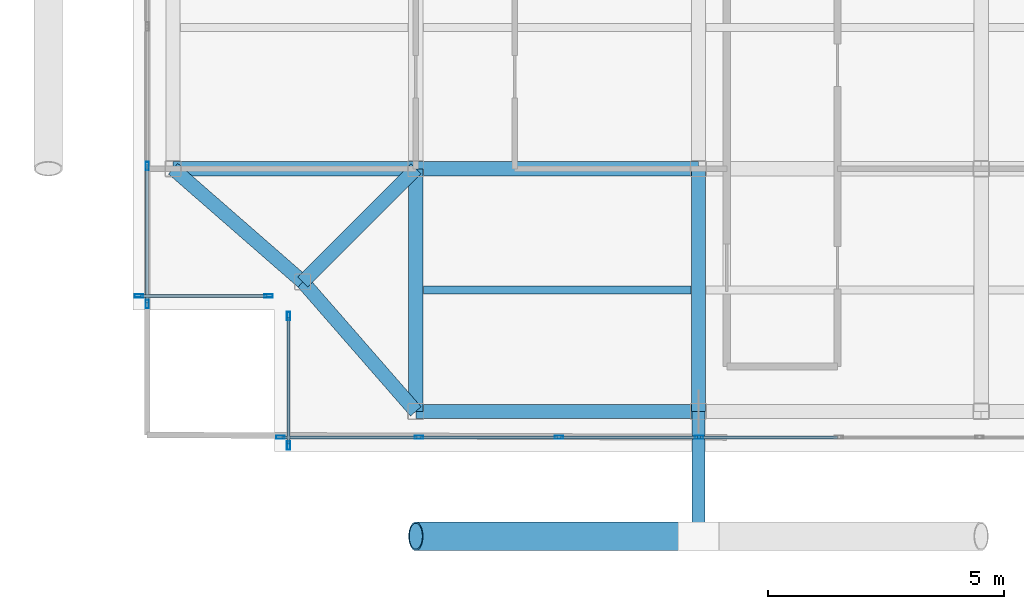
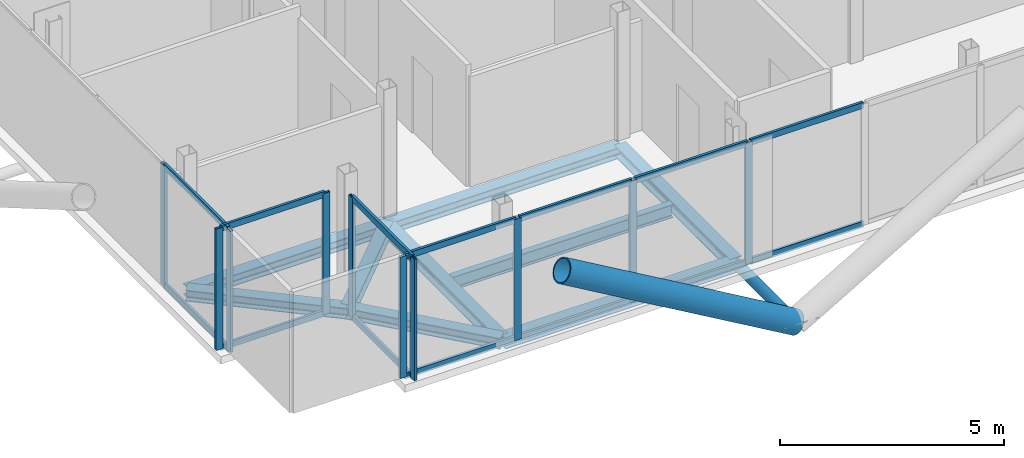
# One storey, part 2 of 18: 26 members, 9 beams, 4 elements without a shape of their own.
"""IFC4 building model written with IfcOpenShell, lengths in metres."""

from ifc_helpers import new_model, si_unit, direction, frame, origin, origin_2d, place, context, subcontext, project, spatial, hollow_rectangle, hollow_circle, i_section, extrude, material, layer, layer_set, material_profile, profile_set, type_object, element, aggregate, save


model = new_model("IFC4")

# Units and contexts
model_context = context("Model", 3, precision=1e-05, world=origin(), true_north=direction((0.0, 1.0)))
body_context = subcontext(model_context, "Body", "Model", "MODEL_VIEW")
ifc_project = project(units=[si_unit("LENGTHUNIT", "METRE"), si_unit("AREAUNIT", "SQUARE_METRE"), si_unit("VOLUMEUNIT", "CUBIC_METRE"), si_unit("PLANEANGLEUNIT", "RADIAN"), si_unit("MASSUNIT", "GRAM", prefix="KILO"), si_unit("THERMODYNAMICTEMPERATUREUNIT", "KELVIN"), si_unit("POWERUNIT", "WATT")], contexts=[model_context])

# Site, building, storey
site_placement = place(None, origin())
site = spatial("IfcSite", under=ifc_project, at=site_placement, CompositionType="ELEMENT")
building_placement = place(site_placement, origin())
building = spatial("IfcBuilding", under=site, at=building_placement, Name="Svarakhadi Broadcast Tower", CompositionType="ELEMENT")
storey_placement = place(building_placement, frame((0.0, 0.0, 260.699951171875)))
storey = spatial("IfcBuildingStorey", under=building, at=storey_placement, Name="L65", CompositionType="ELEMENT", Elevation=260.699951171875)

# Beam
ifc_material_1 = material(Name="Steel S355J2 (IS 2062 E350C)", Category="steel")
ifc_material_profile_1 = material_profile(ifc_material_1, i_section(OverallWidth=0.169921875, OverallDepth=0.360107421875, WebThickness=0.008056640625, FlangeThickness=0.0126953125, FilletRadius=0.01806640625, at=origin_2d()), Name="NPB 360x170x57")
ifc_profile_set_1 = profile_set([ifc_material_profile_1], Name="Steel S355J2 (IS 2062 E350C)")
beam_type_1 = type_object("IfcBeamType", Name="Beam_NPB360", PredefinedType="BEAM", material=ifc_profile_set_1)
beam_1_placement = place(storey_placement, frame((6.159912109375, 3.425048828125, -0.3798828125), z_axis=(1.0, 0.0, 0.0), x_axis=(0.0, 1.0, 0.0)))
element("IfcBeam", 1, at=beam_1_placement, inside=storey, type_object=beam_type_1, Name="L65 Secondary Composite Beam SB004", PredefinedType="BEAM", context=body_context, shape_type="SweptSolid", body=[
    extrude(i_section(OverallWidth=0.169921875, OverallDepth=0.360107421875, WebThickness=0.008056640625, FlangeThickness=0.0126953125, FilletRadius=0.01806640625, at=origin_2d()), origin(), (0.0, 0.0, 1.0), 5.68017578125),
])

# Curtain wall, members
ifc_material_2 = material(Name="Anodised Bronze Aluminium AA 6063-T6", Category="aluminium")
ifc_layer = layer(ifc_material_2, 0.179931640625)
ifc_layer_set = layer_set([ifc_layer], Name="Anodised Bronze Aluminium AA 6063-T6")
curtain_wall_type = type_object("IfcCurtainWallType", Name="CW_Sys_05", PredefinedType="NOTDEFINED", material=ifc_layer_set)
curtain_wall_1_placement = place(storey_placement, origin())
curtain_wall_1 = element("IfcCurtainWall", 2, at=curtain_wall_1_placement, inside=storey, type_object=curtain_wall_type, Name="L65 Unitised Facade Curtain Wall 01", PredefinedType="NOTDEFINED")
ifc_material_profile_2 = material_profile(ifc_material_2, hollow_rectangle(XDim=0.070068359375, YDim=0.179931640625, WallThickness=0.005615234375, at=origin_2d()), Name="ALU MULLION 180x70x6")
ifc_profile_set_2 = profile_set([ifc_material_profile_2], Name="Anodised Bronze Aluminium AA 6063-T6")
member_type_1 = type_object("IfcMemberType", Name="CW_Sys_05_Mul", PredefinedType="MULLION", material=ifc_profile_set_2)
member_1_placement = place(storey_placement, frame((2.875, 3.300048828125, 0.0), z_axis=(0.0, 0.0, 1.0), x_axis=(0.0, -1.0, 0.0)))
member_1 = element("IfcMember", 3, at=member_1_placement, type_object=member_type_1, Name="CW-05 mullion 1", PredefinedType="MULLION", context=body_context, shape_type="SweptSolid", body=[
    extrude(hollow_rectangle(XDim=0.070068359375, YDim=0.179931640625, WallThickness=0.005615234375, at=origin_2d()), origin(), (0.0, 0.0, 1.0), 3.300048828125),
])
member_2_placement = place(storey_placement, frame((0.125, 3.300048828125, 0.0), z_axis=(0.0, 0.0, 1.0), x_axis=(0.0, -1.0, 0.0)))
member_2 = element("IfcMember", 4, at=member_2_placement, type_object=member_type_1, Name="CW-05 mullion 2", PredefinedType="MULLION", context=body_context, shape_type="SweptSolid", body=[
    extrude(hollow_rectangle(XDim=0.070068359375, YDim=0.179931640625, WallThickness=0.005615234375, at=origin_2d()), origin(), (0.0, 0.0, 1.0), 3.300048828125),
])

curtain_wall_2_placement = place(storey_placement, origin())
curtain_wall_2 = element("IfcCurtainWall", 5, at=curtain_wall_2_placement, inside=storey, type_object=curtain_wall_type, Name="L65 West Curtain Wall 02", PredefinedType="NOTDEFINED")
member_3_placement = place(storey_placement, frame((0.300048828125, 3.125, 0.0), z_axis=(0.0, 0.0, 1.0), x_axis=(-1.0, 0.0, 0.0)))
member_3 = element("IfcMember", 6, at=member_3_placement, type_object=member_type_1, Name="CW-05 mullion 1", PredefinedType="MULLION", context=body_context, shape_type="SweptSolid", body=[
    extrude(hollow_rectangle(XDim=0.070068359375, YDim=0.179931640625, WallThickness=0.005615234375, at=origin_2d()), origin(), (0.0, 0.0, 1.0), 3.300048828125),
])
member_4_placement = place(storey_placement, frame((0.300048828125, 6.053955078125, 0.0), z_axis=(0.0, 0.0, 1.0), x_axis=(-1.0, 0.0, 0.0)))
member_4 = element("IfcMember", 7, at=member_4_placement, type_object=member_type_1, Name="CW-05 mullion 2", PredefinedType="MULLION", context=body_context, shape_type="SweptSolid", body=[
    extrude(hollow_rectangle(XDim=0.070068359375, YDim=0.179931640625, WallThickness=0.005615234375, at=origin_2d()), origin(), (0.0, 0.0, 1.0), 3.300048828125),
])

curtain_wall_3_placement = place(storey_placement, origin())
curtain_wall_3 = element("IfcCurtainWall", 8, at=curtain_wall_3_placement, inside=storey, type_object=curtain_wall_type, Name="L65 South Curtain Wall 15", PredefinedType="NOTDEFINED")
member_5_placement = place(storey_placement, frame((12.012939453125, 0.300048828125, 0.0), z_axis=(0.0, 0.0, 1.0), x_axis=(0.0, -1.0, 0.0)))
member_5 = element("IfcMember", 9, at=member_5_placement, type_object=member_type_1, Name="CW-05 mullion 5", PredefinedType="MULLION", context=body_context, shape_type="SweptSolid", body=[
    extrude(hollow_rectangle(XDim=0.070068359375, YDim=0.179931640625, WallThickness=0.005615234375, at=origin_2d()), origin(), (0.0, 0.0, 1.0), 3.300048828125),
])
member_6_placement = place(storey_placement, frame((9.03857421875, 0.300048828125, 0.0), z_axis=(0.0, 0.0, 1.0), x_axis=(0.0, -1.0, 0.0)))
member_6 = element("IfcMember", 10, at=member_6_placement, type_object=member_type_1, Name="CW-05 mullion 6", PredefinedType="MULLION", context=body_context, shape_type="SweptSolid", body=[
    extrude(hollow_rectangle(XDim=0.070068359375, YDim=0.179931640625, WallThickness=0.005615234375, at=origin_2d()), origin(), (0.0, 0.0, 1.0), 3.300048828125),
])
member_7_placement = place(storey_placement, frame((6.064208984375, 0.300048828125, 0.0), z_axis=(0.0, 0.0, 1.0), x_axis=(0.0, -1.0, 0.0)))
member_7 = element("IfcMember", 11, at=member_7_placement, type_object=member_type_1, Name="CW-05 mullion 7", PredefinedType="MULLION", context=body_context, shape_type="SweptSolid", body=[
    extrude(hollow_rectangle(XDim=0.070068359375, YDim=0.179931640625, WallThickness=0.005615234375, at=origin_2d()), origin(), (0.0, 0.0, 1.0), 3.300048828125),
])
member_8_placement = place(storey_placement, frame((3.125, 0.300048828125, 0.0), z_axis=(0.0, 0.0, 1.0), x_axis=(0.0, -1.0, 0.0)))
member_8 = element("IfcMember", 12, at=member_8_placement, type_object=member_type_1, Name="CW-05 mullion 8", PredefinedType="MULLION", context=body_context, shape_type="SweptSolid", body=[
    extrude(hollow_rectangle(XDim=0.070068359375, YDim=0.179931640625, WallThickness=0.005615234375, at=origin_2d()), origin(), (0.0, 0.0, 1.0), 3.300048828125),
])

curtain_wall_4_placement = place(storey_placement, origin())
curtain_wall_4 = element("IfcCurtainWall", 13, at=curtain_wall_4_placement, inside=storey, type_object=curtain_wall_type, Name="L65 Unitised Facade Curtain Wall 16", PredefinedType="NOTDEFINED")
member_9_placement = place(storey_placement, frame((3.300048828125, 0.125, 0.0), z_axis=(0.0, 0.0, 1.0), x_axis=(-1.0, 0.0, 0.0)))
member_9 = element("IfcMember", 14, at=member_9_placement, type_object=member_type_1, Name="CW-05 mullion 1", PredefinedType="MULLION", context=body_context, shape_type="SweptSolid", body=[
    extrude(hollow_rectangle(XDim=0.070068359375, YDim=0.179931640625, WallThickness=0.005615234375, at=origin_2d()), origin(), (0.0, 0.0, 1.0), 3.300048828125),
])
member_10_placement = place(storey_placement, frame((3.300048828125, 2.875, 0.0), z_axis=(0.0, 0.0, 1.0), x_axis=(-1.0, 0.0, 0.0)))
member_10 = element("IfcMember", 15, at=member_10_placement, type_object=member_type_1, Name="CW-05 mullion 2", PredefinedType="MULLION", context=body_context, shape_type="SweptSolid", body=[
    extrude(hollow_rectangle(XDim=0.070068359375, YDim=0.179931640625, WallThickness=0.005615234375, at=origin_2d()), origin(), (0.0, 0.0, 1.0), 3.300048828125),
])

# Member
ifc_material_profile_3 = material_profile(ifc_material_2, hollow_rectangle(XDim=0.06494140625, YDim=0.1650390625, WallThickness=0.0048828125, at=origin_2d()), Name="ALU TRANSOM 165x65x5")
ifc_profile_set_3 = profile_set([ifc_material_profile_3], Name="Anodised Bronze Aluminium AA 6063-T6")
member_type_2 = type_object("IfcMemberType", Name="CW_Sys_05_Trn", PredefinedType="USERDEFINED", material=ifc_profile_set_3)
member_11_placement = place(storey_placement, frame((2.840087890625, 3.300048828125, 0.032470703125), z_axis=(-1.0, 0.0, 0.0), x_axis=(0.0, -1.0, 0.0)))
member_11 = element("IfcMember", 16, at=member_11_placement, type_object=member_type_2, Name="CW-05 transom 1.1", ObjectType="TRANSOM", PredefinedType="USERDEFINED", context=body_context, shape_type="SweptSolid", body=[
    extrude(hollow_rectangle(XDim=0.06494140625, YDim=0.1650390625, WallThickness=0.0048828125, at=origin_2d()), origin(), (0.0, 0.0, 1.0), 2.68017578125),
])

member_12_placement = place(storey_placement, frame((2.840087890625, 3.300048828125, 3.267578125), z_axis=(-1.0, 0.0, 0.0), x_axis=(0.0, -1.0, 0.0)))
member_12 = element("IfcMember", 17, at=member_12_placement, type_object=member_type_2, Name="CW-05 transom 1.2", ObjectType="TRANSOM", PredefinedType="USERDEFINED", context=body_context, shape_type="SweptSolid", body=[
    extrude(hollow_rectangle(XDim=0.06494140625, YDim=0.1650390625, WallThickness=0.0048828125, at=origin_2d()), origin(), (0.0, 0.0, 1.0), 2.68017578125),
])

aggregate(curtain_wall_1, [member_1, member_2, member_11, member_12])

member_13_placement = place(storey_placement, frame((0.300048828125, 3.159912109375, 0.032470703125), z_axis=(0.0, 1.0, 0.0), x_axis=(-1.0, 0.0, 0.0)))
member_13 = element("IfcMember", 18, at=member_13_placement, type_object=member_type_2, Name="CW-05 transom 1.1", ObjectType="TRANSOM", PredefinedType="USERDEFINED", context=body_context, shape_type="SweptSolid", body=[
    extrude(hollow_rectangle(XDim=0.06494140625, YDim=0.1650390625, WallThickness=0.0048828125, at=origin_2d()), origin(), (0.0, 0.0, 1.0), 2.859130859375),
])

member_14_placement = place(storey_placement, frame((0.300048828125, 3.159912109375, 3.267578125), z_axis=(0.0, 1.0, 0.0), x_axis=(-1.0, 0.0, 0.0)))
member_14 = element("IfcMember", 19, at=member_14_placement, type_object=member_type_2, Name="CW-05 transom 1.2", ObjectType="TRANSOM", PredefinedType="USERDEFINED", context=body_context, shape_type="SweptSolid", body=[
    extrude(hollow_rectangle(XDim=0.06494140625, YDim=0.1650390625, WallThickness=0.0048828125, at=origin_2d()), origin(), (0.0, 0.0, 1.0), 2.859130859375),
])

aggregate(curtain_wall_2, [member_3, member_4, member_13, member_14])

member_15_placement = place(storey_placement, frame((14.9521484375, 0.300048828125, 0.032470703125), z_axis=(-1.0, 0.0, 0.0), x_axis=(0.0, -1.0, 0.0)))
member_15 = element("IfcMember", 20, at=member_15_placement, type_object=member_type_2, Name="CW-05 transom 4.1", ObjectType="TRANSOM", PredefinedType="USERDEFINED", context=body_context, shape_type="SweptSolid", body=[
    extrude(hollow_rectangle(XDim=0.06494140625, YDim=0.1650390625, WallThickness=0.0048828125, at=origin_2d()), origin(), (0.0, 0.0, 1.0), 2.904296875),
])

member_16_placement = place(storey_placement, frame((14.9521484375, 0.300048828125, 3.267578125), z_axis=(-1.0, 0.0, 0.0), x_axis=(0.0, -1.0, 0.0)))
member_16 = element("IfcMember", 21, at=member_16_placement, type_object=member_type_2, Name="CW-05 transom 4.2", ObjectType="TRANSOM", PredefinedType="USERDEFINED", context=body_context, shape_type="SweptSolid", body=[
    extrude(hollow_rectangle(XDim=0.06494140625, YDim=0.1650390625, WallThickness=0.0048828125, at=origin_2d()), origin(), (0.0, 0.0, 1.0), 2.904296875),
])

member_17_placement = place(storey_placement, frame((11.977783203125, 0.300048828125, 0.032470703125), z_axis=(-1.0, 0.0, 0.0), x_axis=(0.0, -1.0, 0.0)))
member_17 = element("IfcMember", 22, at=member_17_placement, type_object=member_type_2, Name="CW-05 transom 5.1", ObjectType="TRANSOM", PredefinedType="USERDEFINED", context=body_context, shape_type="SweptSolid", body=[
    extrude(hollow_rectangle(XDim=0.06494140625, YDim=0.1650390625, WallThickness=0.0048828125, at=origin_2d()), origin(), (0.0, 0.0, 1.0), 2.904296875),
])

member_18_placement = place(storey_placement, frame((11.977783203125, 0.300048828125, 3.267578125), z_axis=(-1.0, 0.0, 0.0), x_axis=(0.0, -1.0, 0.0)))
member_18 = element("IfcMember", 23, at=member_18_placement, type_object=member_type_2, Name="CW-05 transom 5.2", ObjectType="TRANSOM", PredefinedType="USERDEFINED", context=body_context, shape_type="SweptSolid", body=[
    extrude(hollow_rectangle(XDim=0.06494140625, YDim=0.1650390625, WallThickness=0.0048828125, at=origin_2d()), origin(), (0.0, 0.0, 1.0), 2.904296875),
])

member_19_placement = place(storey_placement, frame((9.003662109375, 0.300048828125, 0.032470703125), z_axis=(-1.0, 0.0, 0.0), x_axis=(0.0, -1.0, 0.0)))
member_19 = element("IfcMember", 24, at=member_19_placement, type_object=member_type_2, Name="CW-05 transom 6.1", ObjectType="TRANSOM", PredefinedType="USERDEFINED", context=body_context, shape_type="SweptSolid", body=[
    extrude(hollow_rectangle(XDim=0.06494140625, YDim=0.1650390625, WallThickness=0.0048828125, at=origin_2d()), origin(), (0.0, 0.0, 1.0), 2.904296875),
])

member_20_placement = place(storey_placement, frame((9.003662109375, 0.300048828125, 3.267578125), z_axis=(-1.0, 0.0, 0.0), x_axis=(0.0, -1.0, 0.0)))
member_20 = element("IfcMember", 25, at=member_20_placement, type_object=member_type_2, Name="CW-05 transom 6.2", ObjectType="TRANSOM", PredefinedType="USERDEFINED", context=body_context, shape_type="SweptSolid", body=[
    extrude(hollow_rectangle(XDim=0.06494140625, YDim=0.1650390625, WallThickness=0.0048828125, at=origin_2d()), origin(), (0.0, 0.0, 1.0), 2.904296875),
])

member_21_placement = place(storey_placement, frame((6.029296875, 0.300048828125, 0.032470703125), z_axis=(-1.0, 0.0, 0.0), x_axis=(0.0, -1.0, 0.0)))
member_21 = element("IfcMember", 26, at=member_21_placement, type_object=member_type_2, Name="CW-05 transom 7.1", ObjectType="TRANSOM", PredefinedType="USERDEFINED", context=body_context, shape_type="SweptSolid", body=[
    extrude(hollow_rectangle(XDim=0.06494140625, YDim=0.1650390625, WallThickness=0.0048828125, at=origin_2d()), origin(), (0.0, 0.0, 1.0), 2.869384765625),
])

member_22_placement = place(storey_placement, frame((6.029296875, 0.300048828125, 3.267578125), z_axis=(-1.0, 0.0, 0.0), x_axis=(0.0, -1.0, 0.0)))
member_22 = element("IfcMember", 27, at=member_22_placement, type_object=member_type_2, Name="CW-05 transom 7.2", ObjectType="TRANSOM", PredefinedType="USERDEFINED", context=body_context, shape_type="SweptSolid", body=[
    extrude(hollow_rectangle(XDim=0.06494140625, YDim=0.1650390625, WallThickness=0.0048828125, at=origin_2d()), origin(), (0.0, 0.0, 1.0), 2.869384765625),
])

aggregate(curtain_wall_3, [member_5, member_6, member_7, member_8, member_15, member_16, member_17, member_18, member_19, member_20, member_21, member_22])

member_23_placement = place(storey_placement, frame((3.300048828125, 0.159912109375, 0.032470703125), z_axis=(0.0, 1.0, 0.0), x_axis=(-1.0, 0.0, 0.0)))
member_23 = element("IfcMember", 28, at=member_23_placement, type_object=member_type_2, Name="CW-05 transom 1.1", ObjectType="TRANSOM", PredefinedType="USERDEFINED", context=body_context, shape_type="SweptSolid", body=[
    extrude(hollow_rectangle(XDim=0.06494140625, YDim=0.1650390625, WallThickness=0.0048828125, at=origin_2d()), origin(), (0.0, 0.0, 1.0), 2.68017578125),
])

member_24_placement = place(storey_placement, frame((3.300048828125, 0.159912109375, 3.267578125), z_axis=(0.0, 1.0, 0.0), x_axis=(-1.0, 0.0, 0.0)))
member_24 = element("IfcMember", 29, at=member_24_placement, type_object=member_type_2, Name="CW-05 transom 1.2", ObjectType="TRANSOM", PredefinedType="USERDEFINED", context=body_context, shape_type="SweptSolid", body=[
    extrude(hollow_rectangle(XDim=0.06494140625, YDim=0.1650390625, WallThickness=0.0048828125, at=origin_2d()), origin(), (0.0, 0.0, 1.0), 2.68017578125),
])

aggregate(curtain_wall_4, [member_9, member_10, member_23, member_24])

# Members
ifc_material_3 = material(Name="Steel S460ML (IS 2062 E450BR)", Category="steel")
ifc_material_profile_4 = material_profile(ifc_material_3, hollow_circle(Radius=0.304931640625, WallThickness=0.030029296875, at=origin_2d()), Name="CHS 610x30")
ifc_profile_set_4 = profile_set([ifc_material_profile_4], Name="Steel S460ML (IS 2062 E450BR)")
member_type_3 = type_object("IfcMemberType", Name="Exo_Brace_CHS610", PredefinedType="BRACE", material=ifc_profile_set_4)
member_25_placement = place(storey_placement, frame((12.0, -1.800048828125, -0.33642578125), z_axis=(-0.863778900898, 0.0, 0.503871025524), x_axis=(0.0, -1.0, 0.0)))
element("IfcMember", 30, at=member_25_placement, inside=storey, type_object=member_type_3, Name="L65 Exposed Bronze Exoskeleton Diagonal S01", PredefinedType="BRACE", context=body_context, shape_type="SweptSolid", body=[
    extrude(hollow_circle(Radius=0.304931640625, WallThickness=0.030029296875, at=origin_2d()), origin(), (0.0, 0.0, 1.0), 6.9462890625),
])
ifc_material_profile_5 = material_profile(ifc_material_3, hollow_circle(Radius=0.136474609375, WallThickness=0.012451171875, at=origin_2d()), Name="CHS 273x12.5")
ifc_profile_set_5 = profile_set([ifc_material_profile_5], Name="Steel S460ML (IS 2062 E450BR)")
member_type_4 = type_object("IfcMemberType", Name="Exo_Radial_Strut_Z3", PredefinedType="STRUT", material=ifc_profile_set_5)
member_26_placement = place(storey_placement, frame((12.0, -1.800048828125, -0.33642578125), z_axis=(0.0, 1.0, 0.0), x_axis=(-1.0, 0.0, 0.0)))
element("IfcMember", 31, at=member_26_placement, inside=storey, type_object=member_type_4, Name="L65 Exoskeleton Radial Tie Strut S01", PredefinedType="STRUT", context=body_context, shape_type="SweptSolid", body=[
    extrude(hollow_circle(Radius=0.136474609375, WallThickness=0.012451171875, at=origin_2d()), origin(), (0.0, 0.0, 1.0), 2.650146484375),
])

# Beams
ifc_material_profile_6 = material_profile(ifc_material_1, i_section(OverallWidth=0.300048828125, OverallDepth=0.300048828125, WebThickness=0.010986328125, FlangeThickness=0.01904296875, FilletRadius=0.027099609375, at=origin_2d()), Name="WPB 300x300x117")
ifc_profile_set_6 = profile_set([ifc_material_profile_6], Name="Steel S355J2 (IS 2062 E350C)")
beam_type_2 = type_object("IfcBeamType", Name="Girder_WPB300", PredefinedType="USERDEFINED", material=ifc_profile_set_6)
beam_2_placement = place(storey_placement, frame((3.60009765625, 3.60009765625, -0.349853515625), z_axis=(0.707106781187, 0.707106781187, 0.0), x_axis=(-0.707106781187, 0.707106781187, 0.0)))
element("IfcBeam", 32, at=beam_2_placement, inside=storey, type_object=beam_type_2, Name="L65 Corner Tie Girder G001", ObjectType="GIRDER", PredefinedType="USERDEFINED", context=body_context, shape_type="SweptSolid", body=[
    extrude(i_section(OverallWidth=0.300048828125, OverallDepth=0.300048828125, WebThickness=0.010986328125, FlangeThickness=0.01904296875, FilletRadius=0.027099609375, at=origin_2d()), origin(), (0.0, 0.0, 1.0), 3.39404296875),
])
for number, where, z_axis, x_axis, name in (
    (33, (3.60009765625, 3.60009765625, -0.349853515625), (-0.753437912176, 0.657519058655, 0.0), (-0.657519058655, -0.753437912176, 0.0), "L65 Corner Tie Girder G002"),
    (34, (3.60009765625, 3.60009765625, -0.349853515625), (0.657519058655, -0.753437912176, 0.0), (0.753437912176, 0.657519058655, 0.0), "L65 Corner Tie Girder G003"),
):
    element("IfcBeam", number, at=place(storey_placement, frame(where, z_axis=z_axis, x_axis=x_axis)), inside=storey, type_object=beam_type_2, Name=name, ObjectType="GIRDER", PredefinedType="USERDEFINED", context=body_context, shape_type="SweptSolid", body=[
        extrude(i_section(OverallWidth=0.300048828125, OverallDepth=0.300048828125, WebThickness=0.010986328125, FlangeThickness=0.01904296875, FilletRadius=0.027099609375, at=origin_2d()), origin(), (0.0, 0.0, 1.0), 3.64990234375),
    ])
beam_3_placement = place(storey_placement, frame((6.0, 0.85009765625, -0.349853515625), z_axis=(1.0, 0.0, 0.0), x_axis=(0.0, 1.0, 0.0)))
element("IfcBeam", 35, at=beam_3_placement, inside=storey, type_object=beam_type_2, Name="L65 Primary E-W Girder G004", ObjectType="GIRDER", PredefinedType="USERDEFINED", context=body_context, shape_type="SweptSolid", body=[
    extrude(i_section(OverallWidth=0.300048828125, OverallDepth=0.300048828125, WebThickness=0.010986328125, FlangeThickness=0.01904296875, FilletRadius=0.027099609375, at=origin_2d()), origin(), (0.0, 0.0, 1.0), 6.0),
])
beam_4_placement = place(storey_placement, frame((0.85009765625, 6.0, -0.349853515625), z_axis=(1.0, 0.0, 0.0), x_axis=(0.0, 1.0, 0.0)))
element("IfcBeam", 36, at=beam_4_placement, inside=storey, type_object=beam_type_2, Name="L65 Primary E-W Girder G008", ObjectType="GIRDER", PredefinedType="USERDEFINED", context=body_context, shape_type="SweptSolid", body=[
    extrude(i_section(OverallWidth=0.300048828125, OverallDepth=0.300048828125, WebThickness=0.010986328125, FlangeThickness=0.01904296875, FilletRadius=0.027099609375, at=origin_2d()), origin(), (0.0, 0.0, 1.0), 5.14990234375),
])
beam_5_placement = place(storey_placement, frame((6.0, 6.0, -0.349853515625), z_axis=(1.0, 0.0, 0.0), x_axis=(0.0, 1.0, 0.0)))
element("IfcBeam", 37, at=beam_5_placement, inside=storey, type_object=beam_type_2, Name="L65 Primary E-W Girder G009", ObjectType="GIRDER", PredefinedType="USERDEFINED", context=body_context, shape_type="SweptSolid", body=[
    extrude(i_section(OverallWidth=0.300048828125, OverallDepth=0.300048828125, WebThickness=0.010986328125, FlangeThickness=0.01904296875, FilletRadius=0.027099609375, at=origin_2d()), origin(), (0.0, 0.0, 1.0), 6.0),
])
for number, where, z_axis, x_axis, name in (
    (38, (6.0, 0.85009765625, -0.349853515625), (0.0, 1.0, 0.0), (-1.0, 0.0, 0.0), "L65 Primary N-S Girder G029"),
    (39, (12.0, 0.85009765625, -0.349853515625), (0.0, 1.0, 0.0), (-1.0, 0.0, 0.0), "L65 Primary N-S Girder G033"),
):
    element("IfcBeam", number, at=place(storey_placement, frame(where, z_axis=z_axis, x_axis=x_axis)), inside=storey, type_object=beam_type_2, Name=name, ObjectType="GIRDER", PredefinedType="USERDEFINED", context=body_context, shape_type="SweptSolid", body=[
        extrude(i_section(OverallWidth=0.300048828125, OverallDepth=0.300048828125, WebThickness=0.010986328125, FlangeThickness=0.01904296875, FilletRadius=0.027099609375, at=origin_2d()), origin(), (0.0, 0.0, 1.0), 5.14990234375),
    ])

save(model, "model.ifc")
